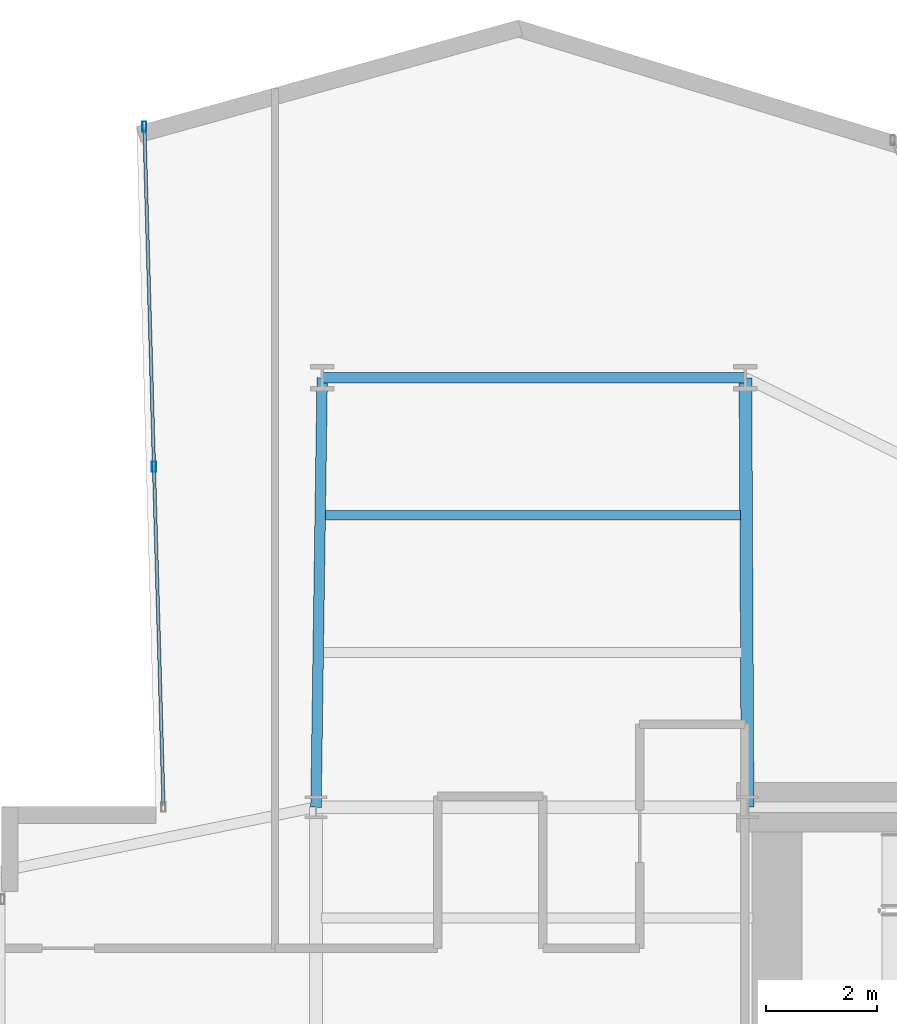
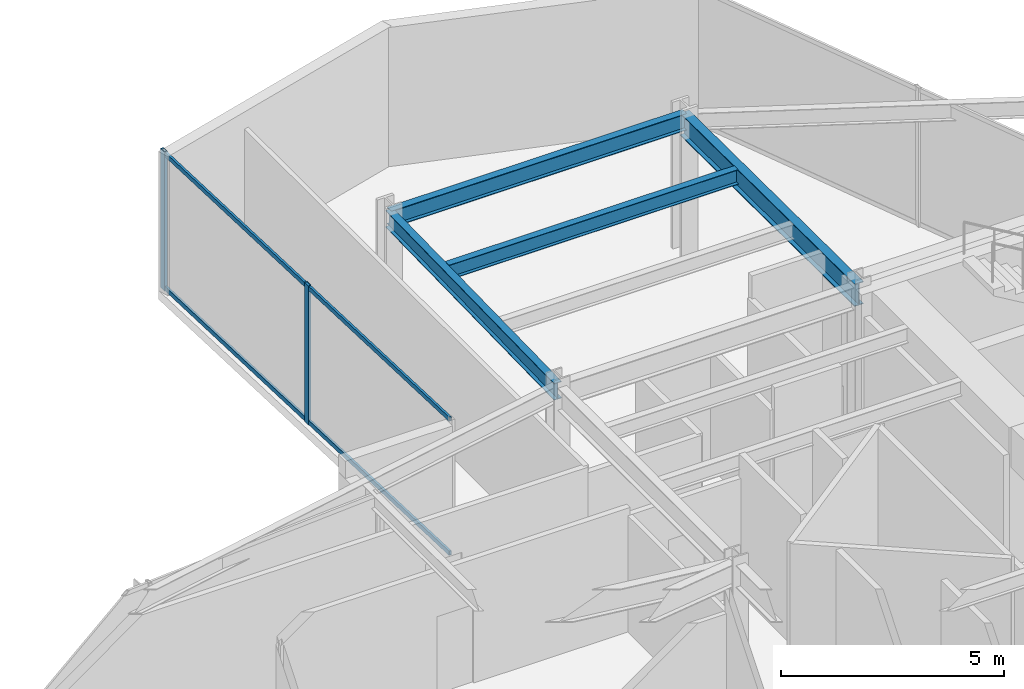
# One storey, part 20 of 30: 4 beams, 4 members, 1 element without a shape of its own.
"""IFC4 building model written with IfcOpenShell, lengths in metres."""

from ifc_helpers import new_model, si_unit, direction, frame, origin, origin_2d, place, context, subcontext, project, spatial, hollow_rectangle, i_section, extrude, material, layer, layer_set, material_profile, profile_set, type_object, element, aggregate, save


model = new_model("IFC4")

# Units and contexts
model_context = context("Model", 3, precision=1e-05, world=origin(), true_north=direction((0.0, 1.0)))
body_context = subcontext(model_context, "Body", "Model", "MODEL_VIEW")
ifc_project = project(units=[si_unit("LENGTHUNIT", "METRE"), si_unit("AREAUNIT", "SQUARE_METRE"), si_unit("VOLUMEUNIT", "CUBIC_METRE"), si_unit("PLANEANGLEUNIT", "RADIAN"), si_unit("MASSUNIT", "GRAM", prefix="KILO")], contexts=[model_context])

# Site, building, storey
site_placement = place(None, origin())
site = spatial("IfcSite", under=ifc_project, at=site_placement, CompositionType="ELEMENT")
building_placement = place(site_placement, origin())
building = spatial("IfcBuilding", under=site, at=building_placement, Name="Veymaron Broadcast Tower", CompositionType="ELEMENT")
storey_placement = place(building_placement, frame((0.0, 0.0, 49.949951171875)))
storey = spatial("IfcBuildingStorey", under=building, at=storey_placement, Name="L10", CompositionType="ELEMENT", Elevation=49.949951171875)

# Beams
ifc_material_1 = material(Name="Structural steel ASTM A992 Gr 50", Category="steel")
ifc_material_profile_1 = material_profile(ifc_material_1, i_section(OverallWidth=0.22998046875, OverallDepth=0.616943359375, WebThickness=0.01318359375, FlangeThickness=0.022216796875, at=origin_2d()), Name="W610X140")
ifc_profile_set_1 = profile_set([ifc_material_profile_1], Name="Structural steel ASTM A992 Gr 50")
beam_type_1 = type_object("IfcBeamType", Name="BM-FG1", PredefinedType="BEAM", material=ifc_profile_set_1)
beam_1_placement = place(storey_placement, frame((39.0, 32.0, 3.50146484375), z_axis=(-0.00515959783, 0.999986689187, 0.0), x_axis=(-0.999986689187, -0.00515959783, 0.0)))
element("IfcBeam", 1, at=beam_1_placement, inside=storey, type_object=beam_type_1, Name="L10 primary structural floor girder", PredefinedType="BEAM", context=body_context, shape_type="SweptSolid", body=[
    extrude(i_section(OverallWidth=0.22998046875, OverallDepth=0.616943359375, WebThickness=0.01318359375, FlangeThickness=0.022216796875, at=origin_2d()), origin(), (0.0, 0.0, 1.0), 7.760009765625),
])
ifc_material_profile_2 = material_profile(ifc_material_1, i_section(OverallWidth=0.177978515625, OverallDepth=0.406982421875, WebThickness=0.0078125, FlangeThickness=0.0126953125, at=origin_2d()), Name="W410X60")
ifc_profile_set_2 = profile_set([ifc_material_profile_2], Name="Structural steel ASTM A992 Gr 50")
beam_type_2 = type_object("IfcBeamType", Name="BM-JS1", PredefinedType="JOIST", material=ifc_profile_set_2)
beam_2_placement = place(storey_placement, frame((31.376220703125, 37.27685546875, 3.6064453125), z_axis=(1.0, 0.0, 0.0), x_axis=(0.0, 1.0, 0.0)))
element("IfcBeam", 2, at=beam_2_placement, inside=storey, type_object=beam_type_2, Name="L10 Arm-B secondary joist 2", PredefinedType="JOIST", context=body_context, shape_type="SweptSolid", body=[
    extrude(i_section(OverallWidth=0.177978515625, OverallDepth=0.406982421875, WebThickness=0.0078125, FlangeThickness=0.0126953125, at=origin_2d()), origin(), (0.0, 0.0, 1.0), 7.49658203125),
])
ifc_material_profile_3 = material_profile(ifc_material_1, i_section(OverallWidth=0.19091796875, OverallDepth=0.4599609375, WebThickness=0.010009765625, FlangeThickness=0.01611328125, at=origin_2d()), Name="W460X82")
ifc_profile_set_3 = profile_set([ifc_material_profile_3], Name="Structural steel ASTM A992 Gr 50")
beam_type_3 = type_object("IfcBeamType", Name="BM-SP1", PredefinedType="SPANDREL", material=ifc_profile_set_3)
beam_3_placement = place(storey_placement, frame((31.199951171875, 32.0, 3.580078125), z_axis=(0.014439268475, 0.999895748329, 0.0), x_axis=(-0.999895748329, 0.014439268475, 0.0)))
element("IfcBeam", 3, at=beam_3_placement, inside=storey, type_object=beam_type_3, Name="L10 primary structural floor girder", PredefinedType="SPANDREL", context=body_context, shape_type="SweptSolid", body=[
    extrude(i_section(OverallWidth=0.19091796875, OverallDepth=0.4599609375, WebThickness=0.010009765625, FlangeThickness=0.01611328125, at=origin_2d()), origin(), (0.0, 0.0, 1.0), 7.7607421875),
])
beam_4_placement = place(storey_placement, frame((31.31201171875, 39.760009765625, 3.580078125), z_axis=(1.0, 0.0, 0.0), x_axis=(0.0, 1.0, 0.0)))
element("IfcBeam", 4, at=beam_4_placement, inside=storey, type_object=beam_type_3, Name="L10 primary structural floor girder", PredefinedType="SPANDREL", context=body_context, shape_type="SweptSolid", body=[
    extrude(i_section(OverallWidth=0.19091796875, OverallDepth=0.4599609375, WebThickness=0.010009765625, FlangeThickness=0.01611328125, at=origin_2d()), origin(), (0.0, 0.0, 1.0), 7.64794921875),
])

# Curtain wall, members
ifc_material_2 = material(Name="Anodised aluminium AA 6063-T6 and laminated low-E dark glass", Category="aluminium")
ifc_layer = layer(ifc_material_2, 0.179931640625)
ifc_layer_set = layer_set([ifc_layer], Name="Anodised aluminium AA 6063-T6 and laminated low-E dark glass")
curtain_wall_type = type_object("IfcCurtainWallType", Name="CW-SYS-02", PredefinedType="NOTDEFINED", material=ifc_layer_set)
curtain_wall_placement = place(storey_placement, origin())
curtain_wall = element("IfcCurtainWall", 5, at=curtain_wall_placement, inside=storey, type_object=curtain_wall_type, Name="L10 dark-glass curtain wall CW-L10-E8-1", PredefinedType="NOTDEFINED")
ifc_material_3 = material(Name="Anodised aluminium AA 6063-T6", Category="aluminium")
ifc_material_profile_4 = material_profile(ifc_material_3, hollow_rectangle(XDim=0.074951171875, YDim=0.179931640625, WallThickness=0.0048828125, at=origin_2d()), Name="AL180X75X5")
ifc_profile_set_4 = profile_set([ifc_material_profile_4], Name="Anodised aluminium AA 6063-T6")
member_type_1 = type_object("IfcMemberType", Name="CW-MUL-02", PredefinedType="MULLION", material=ifc_profile_set_4)
member_1_placement = place(storey_placement, frame((28.099609375, 44.2998046875, 0.0), z_axis=(0.0, 0.0, 1.0), x_axis=(1.0, 0.0, 0.0)))
member_1 = element("IfcMember", 6, at=member_1_placement, type_object=member_type_1, Name="CW-L10-E8-1 mullion 0", PredefinedType="MULLION", context=body_context, shape_type="SweptSolid", body=[
    extrude(hollow_rectangle(XDim=0.074951171875, YDim=0.179931640625, WallThickness=0.0048828125, at=origin_2d()), origin(), (0.0, 0.0, 1.0), 3.81005859375),
])
member_2_placement = place(storey_placement, frame((28.2724609375, 38.15185546875, 0.0), z_axis=(0.0, 0.0, 1.0), x_axis=(1.0, 0.0, 0.0)))
member_2 = element("IfcMember", 7, at=member_2_placement, type_object=member_type_1, Name="CW-L10-E8-1 mullion 1", PredefinedType="MULLION", context=body_context, shape_type="SweptSolid", body=[
    extrude(hollow_rectangle(XDim=0.074951171875, YDim=0.179931640625, WallThickness=0.0048828125, at=origin_2d()), origin(), (0.0, 0.0, 1.0), 3.81005859375),
])
ifc_material_profile_5 = material_profile(ifc_material_3, hollow_rectangle(XDim=0.06005859375, YDim=0.1201171875, WallThickness=0.00390625, at=origin_2d()), Name="AL120X60X4")
ifc_profile_set_5 = profile_set([ifc_material_profile_5], Name="Anodised aluminium AA 6063-T6")
member_type_2 = type_object("IfcMemberType", Name="CW-TRN-02", PredefinedType="USERDEFINED", material=ifc_profile_set_5)
member_3_placement = place(storey_placement, frame((28.100830078125, 44.25, 0.070068359375), z_axis=(0.028134189619, -0.999604155341, 0.0), x_axis=(0.999604155341, 0.028134189619, 0.0)))
member_3 = element("IfcMember", 8, at=member_3_placement, type_object=member_type_2, Name="CW-L10-E8-1 transom B", ObjectType="TRANSOM", PredefinedType="USERDEFINED", context=body_context, shape_type="SweptSolid", body=[
    extrude(hollow_rectangle(XDim=0.06005859375, YDim=0.1201171875, WallThickness=0.00390625, at=origin_2d()), origin(), (0.0, 0.0, 1.0), 12.200927734375),
])
member_4_placement = place(storey_placement, frame((28.100830078125, 44.25, 3.739990234375), z_axis=(0.028134189619, -0.999604155341, 0.0), x_axis=(0.999604155341, 0.028134189619, 0.0)))
member_4 = element("IfcMember", 9, at=member_4_placement, type_object=member_type_2, Name="CW-L10-E8-1 transom T", ObjectType="TRANSOM", PredefinedType="USERDEFINED", context=body_context, shape_type="SweptSolid", body=[
    extrude(hollow_rectangle(XDim=0.06005859375, YDim=0.1201171875, WallThickness=0.00390625, at=origin_2d()), origin(), (0.0, 0.0, 1.0), 12.200927734375),
])
aggregate(curtain_wall, [member_1, member_2, member_3, member_4])

save(model, "model.ifc")
